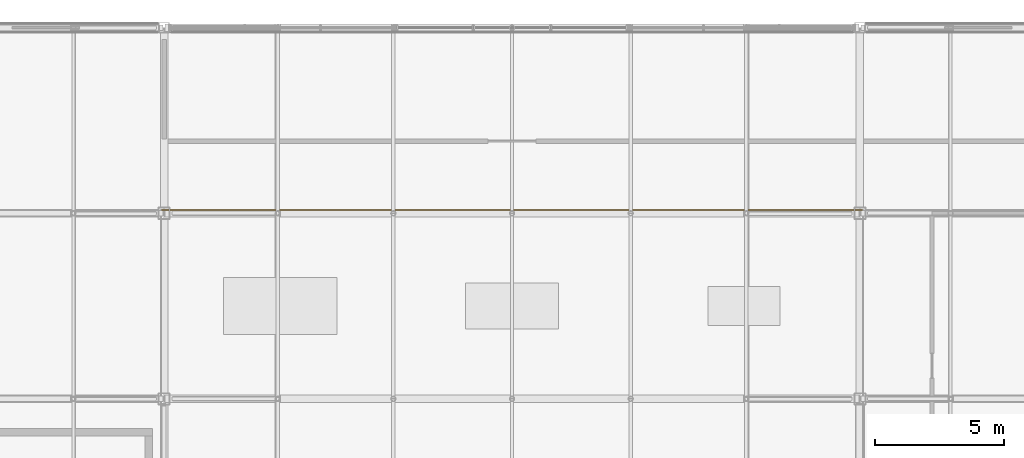
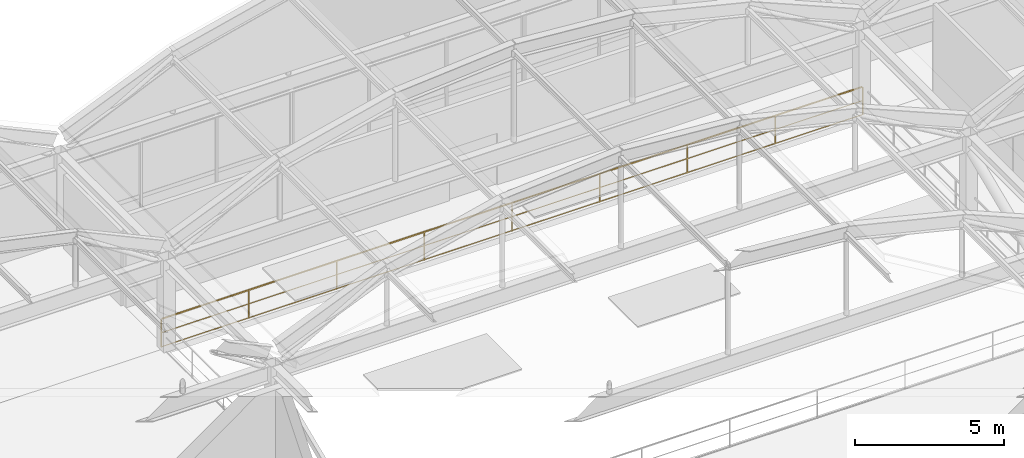
# One storey, part 105 of 106: 1 railing.
"""IFC4 building model written with IfcOpenShell, lengths in metres."""

from ifc_helpers import new_model, si_unit, direction, frame, origin, origin_2d, place, context, subcontext, project, spatial, rectangle, extrude, material, type_object, element, save


model = new_model("IFC4")

# Units and contexts
model_context = context("Model", 3, precision=1e-05, world=origin(), true_north=direction((0.0, 1.0)))
body_context = subcontext(model_context, "Body", "Model", "MODEL_VIEW")
ifc_project = project(units=[si_unit("LENGTHUNIT", "METRE"), si_unit("AREAUNIT", "SQUARE_METRE"), si_unit("VOLUMEUNIT", "CUBIC_METRE"), si_unit("PLANEANGLEUNIT", "RADIAN"), si_unit("MASSUNIT", "GRAM", prefix="KILO")], contexts=[model_context])

# Site, building, storey
site_placement = place(None, origin())
site = spatial("IfcSite", under=ifc_project, at=site_placement, CompositionType="ELEMENT")
building_placement = place(site_placement, origin())
building = spatial("IfcBuilding", under=site, at=building_placement, Name="Kazanami Central Library", CompositionType="ELEMENT")
storey_placement = place(building_placement, frame((0.0, 0.0, 12.800048828125)))
storey = spatial("IfcBuildingStorey", under=building, at=storey_placement, Name="L04", CompositionType="ELEMENT", Elevation=12.800048828125)

# Railing
ifc_material = material(Name="Stainless Steel SUS304", Category="steel")
railing_type = type_object("IfcRailingType", Name="RAL-GR-A2", PredefinedType="GUARDRAIL", material=ifc_material)
railing_placement = place(storey_placement, frame((90.1201171875, 86.52001953125, 0.0)))
element("IfcRailing", 1, at=railing_placement, inside=storey, type_object=railing_type, Name="Main Reading Hall Mezzanine Guard GR-A2 L04 (N)", PredefinedType="GUARDRAIL", context=body_context, shape_type="SweptSolid", body=[
    extrude(rectangle(XDim=0.0439453125, YDim=0.0439453125, at=origin_2d()), frame((-0.02587890625, 0.0, 1.157958984375), z_axis=(-1.0, 0.0, 0.0), x_axis=(0.0, -1.0, 0.0)), (0.0, 0.0, 1.0), 27.188232421875),
    extrude(rectangle(XDim=0.02392578125, YDim=0.02392578125, at=origin_2d()), frame((-0.02587890625, 0.0, 0.015869140625), z_axis=(-1.0, 0.0, 0.0), x_axis=(0.0, -1.0, 0.0)), (0.0, 0.0, 1.0), 27.188232421875),
    extrude(rectangle(XDim=0.02392578125, YDim=0.02392578125, at=origin_2d()), frame((-0.02587890625, 0.0, 0.58984375), z_axis=(-1.0, 0.0, 0.0), x_axis=(0.0, -1.0, 0.0)), (0.0, 0.0, 1.0), 27.188232421875),
    extrude(rectangle(XDim=0.035888671875, YDim=0.035888671875, at=origin_2d()), origin(), (0.0, 0.0, 1.0), 1.132080078125),
    extrude(rectangle(XDim=0.035888671875, YDim=0.035888671875, at=origin_2d()), frame((-3.405029296875, 0.0, 0.0)), (0.0, 0.0, 1.0), 1.132080078125),
    extrude(rectangle(XDim=0.035888671875, YDim=0.035888671875, at=origin_2d()), frame((-6.81005859375, 0.0, 0.0)), (0.0, 0.0, 1.0), 1.132080078125),
    extrude(rectangle(XDim=0.035888671875, YDim=0.035888671875, at=origin_2d()), frame((-10.215087890625, 0.0, 0.0)), (0.0, 0.0, 1.0), 1.132080078125),
    extrude(rectangle(XDim=0.035888671875, YDim=0.035888671875, at=origin_2d()), frame((-13.6201171875, 0.0, 0.0)), (0.0, 0.0, 1.0), 1.132080078125),
    extrude(rectangle(XDim=0.035888671875, YDim=0.035888671875, at=origin_2d()), frame((-17.025146484375, 0.0, 0.0)), (0.0, 0.0, 1.0), 1.132080078125),
    extrude(rectangle(XDim=0.035888671875, YDim=0.035888671875, at=origin_2d()), frame((-20.43017578125, 0.0, 0.0)), (0.0, 0.0, 1.0), 1.132080078125),
    extrude(rectangle(XDim=0.035888671875, YDim=0.035888671875, at=origin_2d()), frame((-23.835205078125, 0.0, 0.0)), (0.0, 0.0, 1.0), 1.132080078125),
    extrude(rectangle(XDim=0.035888671875, YDim=0.035888671875, at=origin_2d()), frame((-27.240234375, 0.0, 0.0)), (0.0, 0.0, 1.0), 1.132080078125),
])

save(model, "model.ifc")
